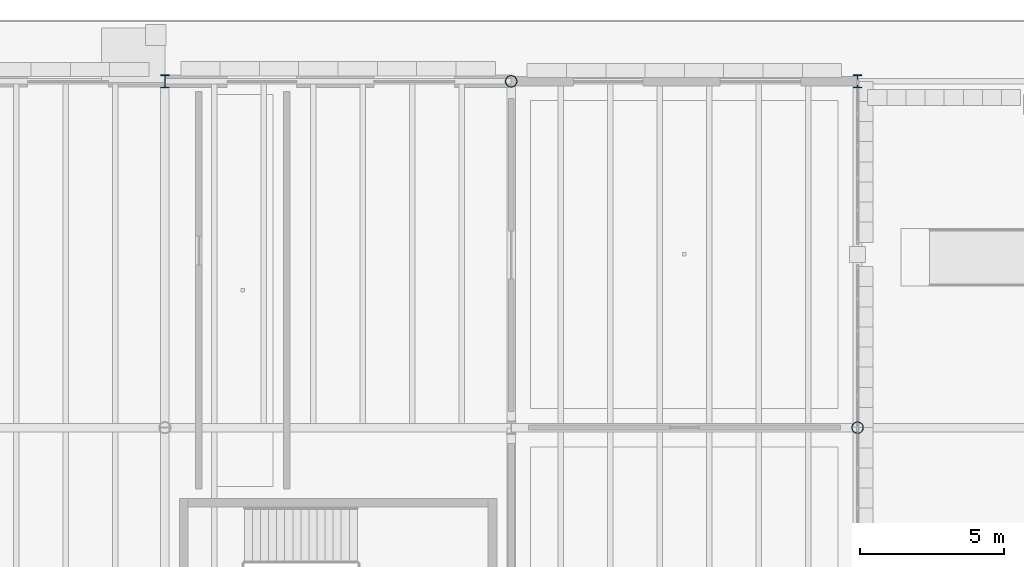
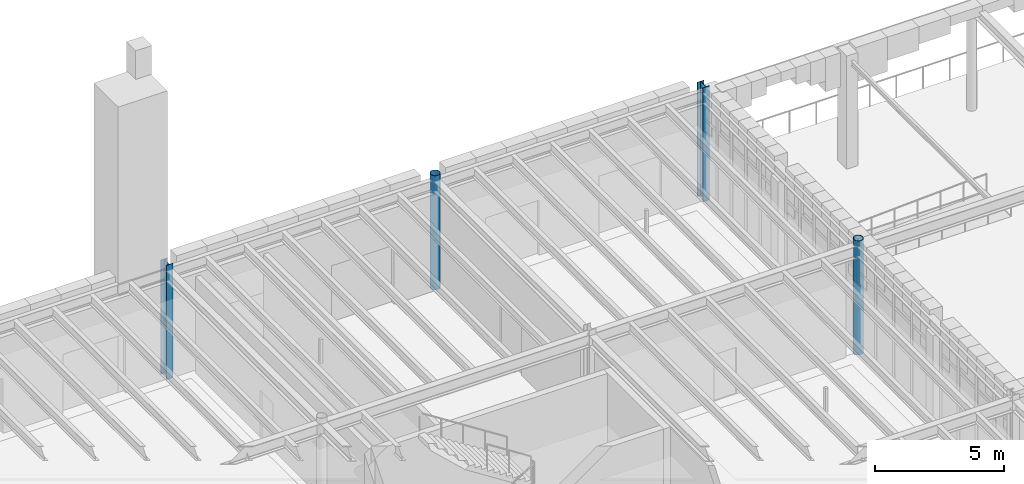
# One storey, part 7 of 103: 4 columns.
"""IFC4 building model written with IfcOpenShell, lengths in metres."""

from ifc_helpers import new_model, si_unit, direction, frame, origin, origin_2d, place, context, subcontext, project, spatial, hollow_circle, i_section, extrude, material, material_profile, profile_set, type_object, element, save


model = new_model("IFC4")

# Units and contexts
model_context = context("Model", 3, precision=1e-05, world=origin(), true_north=direction((0.0, 1.0)))
body_context = subcontext(model_context, "Body", "Model", "MODEL_VIEW")
ifc_project = project(units=[si_unit("LENGTHUNIT", "METRE"), si_unit("AREAUNIT", "SQUARE_METRE"), si_unit("VOLUMEUNIT", "CUBIC_METRE"), si_unit("PLANEANGLEUNIT", "RADIAN"), si_unit("MASSUNIT", "GRAM", prefix="KILO")], contexts=[model_context])

# Site, building, storey
site_placement = place(None, origin())
site = spatial("IfcSite", under=ifc_project, at=site_placement, CompositionType="ELEMENT")
building_placement = place(site_placement, origin())
building = spatial("IfcBuilding", under=site, at=building_placement, Name="Zlatogorsky Bluff Art Gallery", CompositionType="ELEMENT")
storey_placement = place(building_placement, origin())
storey = spatial("IfcBuildingStorey", under=building, at=storey_placement, Name="L00", CompositionType="ELEMENT", Elevation=0.0)

# Columns
ifc_material = material(Name="Steel S355", Category="steel")
ifc_material_profile_1 = material_profile(ifc_material, i_section(OverallWidth=0.300048828125, OverallDepth=0.449951171875, WebThickness=0.013916015625, FlangeThickness=0.02587890625, FilletRadius=0.027099609375, at=origin_2d()), Name="HEB 450")
ifc_profile_set_1 = profile_set([ifc_material_profile_1], Name="Steel S355")
column_type_1 = type_object("IfcColumnType", Name="Column CL-03 HEB 450", PredefinedType="COLUMN", material=ifc_profile_set_1)
for number, where, z_axis, x_axis, name in (
    (1, (36.0, 120.0, 0.0), (0.0, 0.0, 1.0), (1.0, 0.0, 0.0), "Column CL-03 L00 D12"),
    (2, (60.0, 120.0, 0.0), (0.0, 0.0, 1.0), (1.0, 0.0, 0.0), "Column CL-03 L00 F12"),
):
    element("IfcColumn", number, at=place(storey_placement, frame(where, z_axis=z_axis, x_axis=x_axis)), inside=storey, type_object=column_type_1, Name=name, PredefinedType="COLUMN", context=body_context, shape_type="SweptSolid", body=[
        extrude(i_section(OverallWidth=0.300048828125, OverallDepth=0.449951171875, WebThickness=0.013916015625, FlangeThickness=0.02587890625, FilletRadius=0.027099609375, at=origin_2d()), origin(), (0.0, 0.0, 1.0), 5.39990234375),
    ])
ifc_material_profile_2 = material_profile(ifc_material, hollow_circle(Radius=0.203125, WallThickness=0.01611328125, at=origin_2d()), Name="CHS 406.4x16")
ifc_profile_set_2 = profile_set([ifc_material_profile_2], Name="Steel S355")
column_type_2 = type_object("IfcColumnType", Name="Column CL-09 CHS 406.4x16", PredefinedType="COLUMN", material=ifc_profile_set_2)
for number, where, z_axis, x_axis, name in (
    (3, (48.0, 120.0, 0.0), (0.0, 0.0, 1.0), (1.0, 0.0, 0.0), "Column CL-09 L00 E12"),
    (4, (60.0, 108.0, 0.0), (0.0, 0.0, 1.0), (1.0, 0.0, 0.0), "Column CL-09 L00 F11"),
):
    element("IfcColumn", number, at=place(storey_placement, frame(where, z_axis=z_axis, x_axis=x_axis)), inside=storey, type_object=column_type_2, Name=name, PredefinedType="COLUMN", context=body_context, shape_type="SweptSolid", body=[
        extrude(hollow_circle(Radius=0.203125, WallThickness=0.01611328125, at=origin_2d()), origin(), (0.0, 0.0, 1.0), 5.39990234375),
    ])

save(model, "model.ifc")
